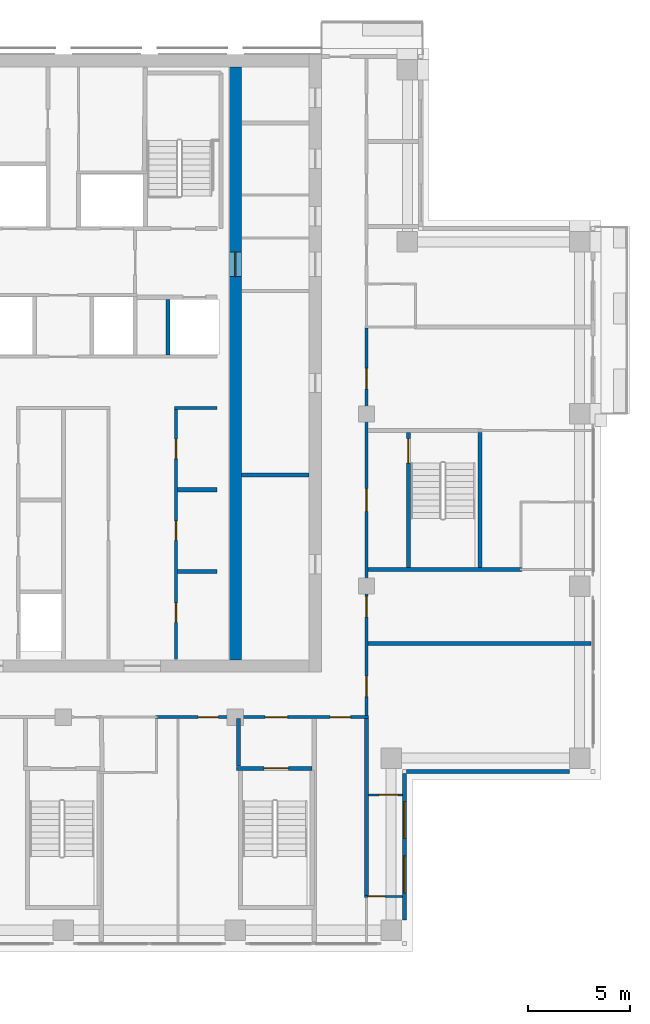
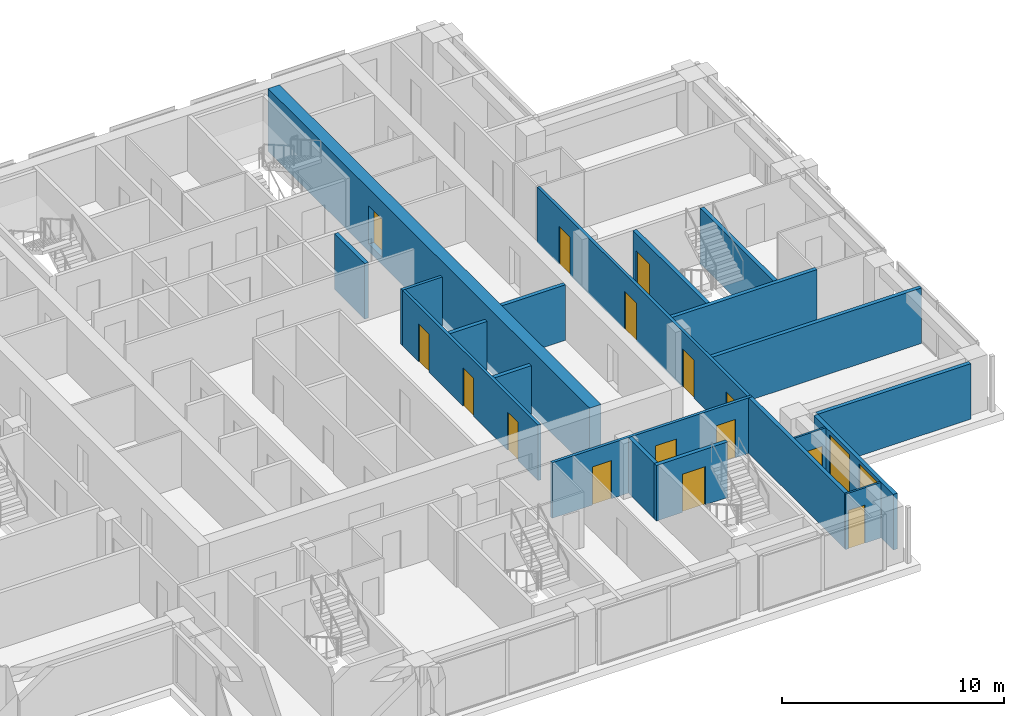
# One storey, part 10 of 16: 20 walls, 15 doors, 2 windows, 17 openings.
"""IFC4 building model written with IfcOpenShell, lengths in metres."""

from ifc_helpers import new_model, si_unit, direction, frame, frame_2d, origin, place, context, subcontext, project, spatial, rectangle, extrude, material, layer, layer_set, type_object, element, fill, save


model = new_model("IFC4")

# Units and contexts
model_context = context("Model", 3, precision=1e-05, world=origin(), true_north=direction((0.0, 1.0)))
body_context = subcontext(model_context, "Body", "Model", "MODEL_VIEW")
ifc_project = project(units=[si_unit("LENGTHUNIT", "METRE"), si_unit("AREAUNIT", "SQUARE_METRE"), si_unit("VOLUMEUNIT", "CUBIC_METRE"), si_unit("PLANEANGLEUNIT", "RADIAN"), si_unit("MASSUNIT", "GRAM", prefix="KILO")], contexts=[model_context])

# Site, building, storey
site_placement = place(None, origin())
site = spatial("IfcSite", under=ifc_project, at=site_placement, CompositionType="ELEMENT")
building_placement = place(site_placement, origin())
building = spatial("IfcBuilding", under=site, at=building_placement, Name="Vermilion Ogive Tower", CompositionType="ELEMENT")
storey_placement = place(building_placement, frame((0.0, 0.0, 179.0)))
storey = spatial("IfcBuildingStorey", under=building, at=storey_placement, Name="L46", CompositionType="ELEMENT", Elevation=179.0)

# Wall, opening, door
ifc_material_1 = material(Name="Concrete B60", Category="concrete")
ifc_layer_1 = layer(ifc_material_1, 0.60009765625)
ifc_layer_set_1 = layer_set([ifc_layer_1], Name="Core wall 600 B60")
wall_type_1 = type_object("IfcWallType", Name="Core wall 600 B60", PredefinedType="SHEAR", material=ifc_layer_set_1)
wall_1_placement = place(storey_placement, frame((8.39990234375, -7.800048828125, -0.39990234375), z_axis=(0.0, 0.0, 1.0), x_axis=(0.0, 1.0, 0.0)))
wall_1 = element("IfcWall", 1, at=wall_1_placement, inside=storey, type_object=wall_type_1, Name="L46-CORE-WEB2", PredefinedType="SHEAR", context=body_context, shape_type="SweptSolid", body=[
    extrude(rectangle(XDim=28.949951171875, YDim=0.60009765625, at=frame_2d((14.47509765625, 0.0))), origin(), (0.0, 0.0, 1.0), 3.449951171875),
])
opening_1_placement = place(wall_1_placement, frame((18.699951171875, 0.0, 0.39990234375)))
opening_1 = element("IfcOpeningElement", 2, at=opening_1_placement, cuts=wall_1, Name="Opening DAO013", PredefinedType="OPENING", context=body_context, shape_type="SweptSolid", body=[
    extrude(rectangle(XDim=1.199951171875, YDim=2.10009765625, at=frame_2d((0.60009765625, 1.050048828125))), frame((0.0, 0.31005859375, 0.0), z_axis=(0.0, -1.0, 0.0), x_axis=(1.0, 0.0, 0.0)), (0.0, 0.0, 1.0), 0.6201171875),
])
ifc_material_2 = material(Name="Timber door leaf", Category="wood")
door_type_1 = type_object("IfcDoorType", Name="Link door 1200 x 2100 FD60S", OperationType="SINGLE_SWING_LEFT", PredefinedType="DOOR", material=ifc_material_2)
door_1_placement = place(opening_1_placement, origin())
door_1 = element("IfcDoor", 3, at=door_1_placement, inside=storey, type_object=door_type_1, Name="L46-CKE-XW", OperationType="SINGLE_SWING_LEFT", OverallHeight=2.10009765625, OverallWidth=1.199951171875, PredefinedType="DOOR", context=body_context, shape_type="SweptSolid", body=[
    extrude(rectangle(XDim=1.199951171875, YDim=2.10009765625, at=frame_2d((0.60009765625, 1.050048828125))), frame((0.0, 0.02490234375, 0.0), z_axis=(0.0, -1.0, 0.0), x_axis=(1.0, 0.0, 0.0)), (0.0, 0.0, 1.0), 0.050048828125),
])
fill(opening_1, door_1)

ifc_material_3 = material(Name="Gypsum board partition on steel studs", Category="steel")
ifc_layer_2 = layer(ifc_material_3, 0.10009765625)
ifc_layer_set_2 = layer_set([ifc_layer_2], Name="Partition 100 bath")
wall_type_2 = type_object("IfcWallType", Name="Partition 100 bath", PredefinedType="PARTITIONING", material=ifc_layer_set_2)
wall_2_placement = place(storey_placement, frame((14.699951171875, -19.35009765625, 0.0), z_axis=(0.0, 0.0, 1.0), x_axis=(1.0, 0.0, 0.0)))
wall_2 = element("IfcWall", 4, at=wall_2_placement, inside=storey, type_object=wall_type_2, Name="L46-W-W005", PredefinedType="PARTITIONING", context=body_context, shape_type="SweptSolid", body=[
    extrude(rectangle(XDim=1.85009765625, YDim=0.10009765625, at=frame_2d((0.925048828125, 0.0))), origin(), (0.0, 0.0, 1.0), 3.050048828125),
])
opening_2_placement = place(wall_2_placement, frame((0.14990234375, 0.0, 0.0)))
opening_2 = element("IfcOpeningElement", 5, at=opening_2_placement, cuts=wall_2, Name="Opening D4G1019", PredefinedType="OPENING", context=body_context, shape_type="SweptSolid", body=[
    extrude(rectangle(XDim=0.85009765625, YDim=2.10009765625, at=frame_2d((0.425048828125, 1.050048828125))), frame((0.0, 0.06005859375, 0.0), z_axis=(0.0, -1.0, 0.0), x_axis=(1.0, 0.0, 0.0)), (0.0, 0.0, 1.0), 0.1201171875),
])
ifc_material_4 = material(Name="Timber door leaf", Category="wood")
door_type_2 = type_object("IfcDoorType", Name="Bath door 850 x 2100 FD30", OperationType="SINGLE_SWING_LEFT", PredefinedType="DOOR", material=ifc_material_4)
door_2_placement = place(opening_2_placement, origin())
door_2 = element("IfcDoor", 6, at=door_2_placement, inside=storey, type_object=door_type_2, Name="L46-D-D019", OperationType="SINGLE_SWING_RIGHT", OverallHeight=2.10009765625, OverallWidth=0.85009765625, PredefinedType="DOOR", context=body_context, shape_type="SweptSolid", body=[
    extrude(rectangle(XDim=0.85009765625, YDim=2.10009765625, at=frame_2d((0.425048828125, 1.050048828125))), frame((0.0, 0.02490234375, 0.0), z_axis=(0.0, -1.0, 0.0), x_axis=(1.0, 0.0, 0.0)), (0.0, 0.0, 1.0), 0.050048828125),
])
fill(opening_2, door_2)

ifc_material_5 = material(Name="Gypsum board partition on steel studs", Category="steel")
ifc_layer_3 = layer(ifc_material_5, 0.10009765625)
ifc_layer_set_3 = layer_set([ifc_layer_3], Name="Partition 100 inner")
wall_type_3 = type_object("IfcWallType", Name="Partition 100 inner", PredefinedType="PARTITIONING", material=ifc_layer_set_3)
wall_3_placement = place(storey_placement, frame((14.89990234375, -14.39990234375, 0.0), z_axis=(0.0, 0.0, 1.0), x_axis=(1.0, 0.0, 0.0)))
wall_3 = element("IfcWall", 7, at=wall_3_placement, inside=storey, type_object=wall_type_3, Name="L46-W-W007", PredefinedType="PARTITIONING", context=body_context, shape_type="SweptSolid", body=[
    extrude(rectangle(XDim=1.650146484375, YDim=0.10009765625, at=frame_2d((0.8251953125, 0.0))), origin(), (0.0, 0.0, 1.0), 3.050048828125),
])
opening_3_placement = place(wall_3_placement, frame((0.500244140625, 0.0, 0.0)))
opening_3 = element("IfcOpeningElement", 8, at=opening_3_placement, cuts=wall_3, Name="Opening D4G1018", PredefinedType="OPENING", context=body_context, shape_type="SweptSolid", body=[
    extrude(rectangle(XDim=0.949951171875, YDim=2.10009765625, at=frame_2d((0.47509765625, 1.050048828125))), frame((0.0, 0.06005859375, 0.0), z_axis=(0.0, -1.0, 0.0), x_axis=(1.0, 0.0, 0.0)), (0.0, 0.0, 1.0), 0.1201171875),
])
ifc_material_6 = material(Name="Timber door leaf", Category="wood")
door_type_3 = type_object("IfcDoorType", Name="Inner door 950 x 2100 FD30", OperationType="SINGLE_SWING_LEFT", PredefinedType="DOOR", material=ifc_material_6)
door_3_placement = place(opening_3_placement, origin())
door_3 = element("IfcDoor", 9, at=door_3_placement, inside=storey, type_object=door_type_3, Name="L46-D-D018", OperationType="SINGLE_SWING_RIGHT", OverallHeight=2.10009765625, OverallWidth=0.949951171875, PredefinedType="DOOR", context=body_context, shape_type="SweptSolid", body=[
    extrude(rectangle(XDim=0.949951171875, YDim=2.10009765625, at=frame_2d((0.47509765625, 1.050048828125))), frame((0.0, 0.02490234375, 0.0), z_axis=(0.0, -1.0, 0.0), x_axis=(1.0, 0.0, 0.0)), (0.0, 0.0, 1.0), 0.050048828125),
])
fill(opening_3, door_3)

# Wall, openings, doors
ifc_material_7 = material(Name="Gypsum board partition on steel studs", Category="steel")
ifc_layer_4 = layer(ifc_material_7, 0.14990234375)
ifc_layer_set_4 = layer_set([ifc_layer_4], Name="Partition 150 corridor")
wall_type_4 = type_object("IfcWallType", Name="Partition 150 corridor", PredefinedType="PARTITIONING", material=ifc_layer_set_4)
wall_4_placement = place(storey_placement, frame((4.5, -10.60009765625, 0.0), z_axis=(0.0, 0.0, 1.0), x_axis=(1.0, 0.0, 0.0)))
wall_4 = element("IfcWall", 10, at=wall_4_placement, inside=storey, type_object=wall_type_4, Name="L46-W-W017", PredefinedType="PARTITIONING", context=body_context, shape_type="SweptSolid", body=[
    extrude(rectangle(XDim=10.39990234375, YDim=0.14990234375, at=frame_2d((5.199951171875, 0.0))), origin(), (0.0, 0.0, 1.0), 3.050048828125),
])
opening_4_placement = place(wall_4_placement, frame((2.074951171875, 0.0, 0.0)))
opening_4 = element("IfcOpeningElement", 11, at=opening_4_placement, cuts=wall_4, Name="Opening D4G1014", PredefinedType="OPENING", context=body_context, shape_type="SweptSolid", body=[
    extrude(rectangle(XDim=1.0, YDim=2.10009765625, at=frame_2d((0.5, 1.050048828125))), frame((0.0, 0.0849609375, 0.0), z_axis=(0.0, -1.0, 0.0), x_axis=(1.0, 0.0, 0.0)), (0.0, 0.0, 1.0), 0.169921875),
])
opening_5_placement = place(wall_4_placement, frame((5.35009765625, 0.0, 0.0)))
opening_5 = element("IfcOpeningElement", 12, at=opening_5_placement, cuts=wall_4, Name="Opening D4G1031", PredefinedType="OPENING", context=body_context, shape_type="SweptSolid", body=[
    extrude(rectangle(XDim=1.10009765625, YDim=2.10009765625, at=frame_2d((0.550048828125, 1.050048828125))), frame((0.0, 0.0849609375, 0.0), z_axis=(0.0, -1.0, 0.0), x_axis=(1.0, 0.0, 0.0)), (0.0, 0.0, 1.0), 0.169921875),
])
opening_6_placement = place(wall_4_placement, frame((8.52490234375, 0.0, 0.0)))
opening_6 = element("IfcOpeningElement", 13, at=opening_6_placement, cuts=wall_4, Name="Opening D4G1038", PredefinedType="OPENING", context=body_context, shape_type="SweptSolid", body=[
    extrude(rectangle(XDim=1.0, YDim=2.10009765625, at=frame_2d((0.5, 1.050048828125))), frame((0.0, 0.0849609375, 0.0), z_axis=(0.0, -1.0, 0.0), x_axis=(1.0, 0.0, 0.0)), (0.0, 0.0, 1.0), 0.169921875),
])
ifc_material_8 = material(Name="Timber door leaf", Category="wood")
door_type_4 = type_object("IfcDoorType", Name="Stair door 1100 x 2100 FD60S", OperationType="SINGLE_SWING_LEFT", PredefinedType="DOOR", material=ifc_material_8)
door_4_placement = place(opening_5_placement, origin())
door_4 = element("IfcDoor", 14, at=door_4_placement, inside=storey, type_object=door_type_4, Name="L46-D-D031", OperationType="SINGLE_SWING_LEFT", OverallHeight=2.10009765625, OverallWidth=1.10009765625, PredefinedType="DOOR", context=body_context, shape_type="SweptSolid", body=[
    extrude(rectangle(XDim=1.10009765625, YDim=2.10009765625, at=frame_2d((0.550048828125, 1.050048828125))), frame((0.0, 0.02490234375, 0.0), z_axis=(0.0, -1.0, 0.0), x_axis=(1.0, 0.0, 0.0)), (0.0, 0.0, 1.0), 0.050048828125),
])
fill(opening_5, door_4)
ifc_material_9 = material(Name="Timber door leaf", Category="wood")
door_type_5 = type_object("IfcDoorType", Name="Unit door 1000 x 2100 FD30S", OperationType="SINGLE_SWING_LEFT", PredefinedType="DOOR", material=ifc_material_9)
door_5_placement = place(opening_4_placement, origin())
door_5 = element("IfcDoor", 15, at=door_5_placement, inside=storey, type_object=door_type_5, Name="L46-D-D014", OperationType="SINGLE_SWING_LEFT", OverallHeight=2.10009765625, OverallWidth=1.0, PredefinedType="DOOR", context=body_context, shape_type="SweptSolid", body=[
    extrude(rectangle(XDim=1.0, YDim=2.10009765625, at=frame_2d((0.5, 1.050048828125))), frame((0.0, 0.02490234375, 0.0), z_axis=(0.0, -1.0, 0.0), x_axis=(1.0, 0.0, 0.0)), (0.0, 0.0, 1.0), 0.050048828125),
])
fill(opening_4, door_5)
door_6_placement = place(opening_6_placement, origin())
door_6 = element("IfcDoor", 16, at=door_6_placement, inside=storey, type_object=door_type_5, Name="L46-D-D038", OperationType="SINGLE_SWING_LEFT", OverallHeight=2.10009765625, OverallWidth=1.0, PredefinedType="DOOR", context=body_context, shape_type="SweptSolid", body=[
    extrude(rectangle(XDim=1.0, YDim=2.10009765625, at=frame_2d((0.5, 1.050048828125))), frame((0.0, 0.02490234375, 0.0), z_axis=(0.0, -1.0, 0.0), x_axis=(1.0, 0.0, 0.0)), (0.0, 0.0, 1.0), 0.050048828125),
])
fill(opening_6, door_6)

wall_5_placement = place(storey_placement, frame((14.800048828125, -10.52490234375, 0.0), z_axis=(0.0, 0.0, 1.0), x_axis=(0.0, 1.0, 0.0)))
wall_5 = element("IfcWall", 17, at=wall_5_placement, inside=storey, type_object=wall_type_4, Name="L46-W-W072", PredefinedType="PARTITIONING", context=body_context, shape_type="SweptSolid", body=[
    extrude(rectangle(XDim=18.9248046875, YDim=0.14990234375, at=frame_2d((9.46240234375, 0.0))), origin(), (0.0, 0.0, 1.0), 3.050048828125),
])
opening_7_placement = place(wall_5_placement, frame((0.9248046875, 0.0, 0.0)))
opening_7 = element("IfcOpeningElement", 18, at=opening_7_placement, cuts=wall_5, Name="Opening D4G1017", PredefinedType="OPENING", context=body_context, shape_type="SweptSolid", body=[
    extrude(rectangle(XDim=1.0, YDim=2.10009765625, at=frame_2d((0.5, 1.050048828125))), frame((0.0, 0.0849609375, 0.0), z_axis=(0.0, -1.0, 0.0), x_axis=(1.0, 0.0, 0.0)), (0.0, 0.0, 1.0), 0.169921875),
])
opening_8_placement = place(wall_5_placement, frame((15.949951171875, 0.0, 0.0)))
opening_8 = element("IfcOpeningElement", 19, at=opening_8_placement, cuts=wall_5, Name="Opening D4G1020", PredefinedType="OPENING", context=body_context, shape_type="SweptSolid", body=[
    extrude(rectangle(XDim=1.0, YDim=2.10009765625, at=frame_2d((0.5, 1.050048828125))), frame((0.0, 0.0849609375, 0.0), z_axis=(0.0, -1.0, 0.0), x_axis=(1.0, 0.0, 0.0)), (0.0, 0.0, 1.0), 0.169921875),
])
opening_9_placement = place(wall_5_placement, frame((9.974853515625, 0.0, 0.0)))
opening_9 = element("IfcOpeningElement", 20, at=opening_9_placement, cuts=wall_5, Name="Opening D4G1033", PredefinedType="OPENING", context=body_context, shape_type="SweptSolid", body=[
    extrude(rectangle(XDim=1.10009765625, YDim=2.10009765625, at=frame_2d((0.550048828125, 1.050048828125))), frame((0.0, 0.0849609375, 0.0), z_axis=(0.0, -1.0, 0.0), x_axis=(1.0, 0.0, 0.0)), (0.0, 0.0, 1.0), 0.169921875),
])
opening_10_placement = place(wall_5_placement, frame((4.824951171875, 0.0, 0.0)))
opening_10 = element("IfcOpeningElement", 21, at=opening_10_placement, cuts=wall_5, Name="Opening D4G1040", PredefinedType="OPENING", context=body_context, shape_type="SweptSolid", body=[
    extrude(rectangle(XDim=1.0, YDim=2.10009765625, at=frame_2d((0.5, 1.050048828125))), frame((0.0, 0.0849609375, 0.0), z_axis=(0.0, -1.0, 0.0), x_axis=(1.0, 0.0, 0.0)), (0.0, 0.0, 1.0), 0.169921875),
])
door_7_placement = place(opening_9_placement, origin())
door_7 = element("IfcDoor", 22, at=door_7_placement, inside=storey, type_object=door_type_4, Name="L46-D-D033", OperationType="SINGLE_SWING_LEFT", OverallHeight=2.10009765625, OverallWidth=1.10009765625, PredefinedType="DOOR", context=body_context, shape_type="SweptSolid", body=[
    extrude(rectangle(XDim=1.10009765625, YDim=2.10009765625, at=frame_2d((0.550048828125, 1.050048828125))), frame((0.0, 0.02490234375, 0.0), z_axis=(0.0, -1.0, 0.0), x_axis=(1.0, 0.0, 0.0)), (0.0, 0.0, 1.0), 0.050048828125),
])
fill(opening_9, door_7)
door_8_placement = place(opening_7_placement, origin())
door_8 = element("IfcDoor", 23, at=door_8_placement, inside=storey, type_object=door_type_5, Name="L46-D-D017", OperationType="SINGLE_SWING_RIGHT", OverallHeight=2.10009765625, OverallWidth=1.0, PredefinedType="DOOR", context=body_context, shape_type="SweptSolid", body=[
    extrude(rectangle(XDim=1.0, YDim=2.10009765625, at=frame_2d((0.5, 1.050048828125))), frame((0.0, 0.02490234375, 0.0), z_axis=(0.0, -1.0, 0.0), x_axis=(1.0, 0.0, 0.0)), (0.0, 0.0, 1.0), 0.050048828125),
])
fill(opening_7, door_8)
door_9_placement = place(opening_8_placement, origin())
door_9 = element("IfcDoor", 24, at=door_9_placement, inside=storey, type_object=door_type_5, Name="L46-D-D020", OperationType="SINGLE_SWING_LEFT", OverallHeight=2.10009765625, OverallWidth=1.0, PredefinedType="DOOR", context=body_context, shape_type="SweptSolid", body=[
    extrude(rectangle(XDim=1.0, YDim=2.10009765625, at=frame_2d((0.5, 1.050048828125))), frame((0.0, 0.02490234375, 0.0), z_axis=(0.0, -1.0, 0.0), x_axis=(1.0, 0.0, 0.0)), (0.0, 0.0, 1.0), 0.050048828125),
])
fill(opening_8, door_9)
door_10_placement = place(opening_10_placement, origin())
door_10 = element("IfcDoor", 25, at=door_10_placement, inside=storey, type_object=door_type_5, Name="L46-D-D040", OperationType="SINGLE_SWING_LEFT", OverallHeight=2.10009765625, OverallWidth=1.0, PredefinedType="DOOR", context=body_context, shape_type="SweptSolid", body=[
    extrude(rectangle(XDim=1.0, YDim=2.10009765625, at=frame_2d((0.5, 1.050048828125))), frame((0.0, 0.02490234375, 0.0), z_axis=(0.0, -1.0, 0.0), x_axis=(1.0, 0.0, 0.0)), (0.0, 0.0, 1.0), 0.050048828125),
])
fill(opening_10, door_10)

# Wall
wall_6_placement = place(storey_placement, frame((5.425048828125, 4.5, 0.0), z_axis=(0.0, 0.0, 1.0), x_axis=(1.0, 0.0, 0.0)))
element("IfcWall", 26, at=wall_6_placement, inside=storey, type_object=wall_type_4, Name="L46-CK-W-W010", PredefinedType="PARTITIONING", context=body_context, shape_type="SweptSolid", body=[
    extrude(rectangle(XDim=2.074951171875, YDim=0.14990234375, at=frame_2d((1.03759765625, 0.0))), origin(), (0.0, 0.0, 1.0), 3.050048828125),
])

# Wall, openings, doors
wall_7_placement = place(storey_placement, frame((5.5, -7.799072265625, 0.0), z_axis=(0.0, 0.0, 1.0), x_axis=(0.0, 1.0, 0.0)))
wall_7 = element("IfcWall", 27, at=wall_7_placement, inside=storey, type_object=wall_type_4, Name="L46-CK-W-W038", PredefinedType="PARTITIONING", context=body_context, shape_type="SweptSolid", body=[
    extrude(rectangle(XDim=12.22412109375, YDim=0.14990234375, at=frame_2d((6.112060546875, 0.0))), origin(), (0.0, 0.0, 1.0), 3.050048828125),
])
opening_11_placement = place(wall_7_placement, frame((1.823974609375, 0.0, 0.0)))
opening_11 = element("IfcOpeningElement", 28, at=opening_11_placement, cuts=wall_7, Name="Opening DAA403", PredefinedType="OPENING", context=body_context, shape_type="SweptSolid", body=[
    extrude(rectangle(XDim=0.949951171875, YDim=2.10009765625, at=frame_2d((0.47509765625, 1.050048828125))), frame((0.0, 0.0849609375, 0.0), z_axis=(0.0, -1.0, 0.0), x_axis=(1.0, 0.0, 0.0)), (0.0, 0.0, 1.0), 0.169921875),
])
opening_12_placement = place(wall_7_placement, frame((5.823974609375, 0.0, 0.0)))
opening_12 = element("IfcOpeningElement", 29, at=opening_12_placement, cuts=wall_7, Name="Opening DAA404", PredefinedType="OPENING", context=body_context, shape_type="SweptSolid", body=[
    extrude(rectangle(XDim=0.949951171875, YDim=2.10009765625, at=frame_2d((0.47509765625, 1.050048828125))), frame((0.0, 0.0849609375, 0.0), z_axis=(0.0, -1.0, 0.0), x_axis=(1.0, 0.0, 0.0)), (0.0, 0.0, 1.0), 0.169921875),
])
opening_13_placement = place(wall_7_placement, frame((9.823974609375, 0.0, 0.0)))
opening_13 = element("IfcOpeningElement", 30, at=opening_13_placement, cuts=wall_7, Name="Opening DAA405", PredefinedType="OPENING", context=body_context, shape_type="SweptSolid", body=[
    extrude(rectangle(XDim=0.949951171875, YDim=2.10009765625, at=frame_2d((0.47509765625, 1.050048828125))), frame((0.0, 0.0849609375, 0.0), z_axis=(0.0, -1.0, 0.0), x_axis=(1.0, 0.0, 0.0)), (0.0, 0.0, 1.0), 0.169921875),
])
ifc_material_10 = material(Name="Timber door leaf", Category="wood")
door_type_6 = type_object("IfcDoorType", Name="Service door 950 x 2100 FD60", OperationType="SINGLE_SWING_LEFT", PredefinedType="DOOR", material=ifc_material_10)
door_11_placement = place(opening_11_placement, origin())
door_11 = element("IfcDoor", 31, at=door_11_placement, inside=storey, type_object=door_type_6, Name="L46-CK-D-D009", OperationType="SINGLE_SWING_LEFT", OverallHeight=2.10009765625, OverallWidth=0.949951171875, PredefinedType="DOOR", context=body_context, shape_type="SweptSolid", body=[
    extrude(rectangle(XDim=0.949951171875, YDim=2.10009765625, at=frame_2d((0.47509765625, 1.050048828125))), frame((0.0, 0.02490234375, 0.0), z_axis=(0.0, -1.0, 0.0), x_axis=(1.0, 0.0, 0.0)), (0.0, 0.0, 1.0), 0.050048828125),
])
fill(opening_11, door_11)
door_12_placement = place(opening_12_placement, origin())
door_12 = element("IfcDoor", 32, at=door_12_placement, inside=storey, type_object=door_type_6, Name="L46-CK-D-D010", OperationType="SINGLE_SWING_LEFT", OverallHeight=2.10009765625, OverallWidth=0.949951171875, PredefinedType="DOOR", context=body_context, shape_type="SweptSolid", body=[
    extrude(rectangle(XDim=0.949951171875, YDim=2.10009765625, at=frame_2d((0.47509765625, 1.050048828125))), frame((0.0, 0.02490234375, 0.0), z_axis=(0.0, -1.0, 0.0), x_axis=(1.0, 0.0, 0.0)), (0.0, 0.0, 1.0), 0.050048828125),
])
fill(opening_12, door_12)
door_13_placement = place(opening_13_placement, origin())
door_13 = element("IfcDoor", 33, at=door_13_placement, inside=storey, type_object=door_type_6, Name="L46-CK-D-D011", OperationType="SINGLE_SWING_RIGHT", OverallHeight=2.10009765625, OverallWidth=0.949951171875, PredefinedType="DOOR", context=body_context, shape_type="SweptSolid", body=[
    extrude(rectangle(XDim=0.949951171875, YDim=2.10009765625, at=frame_2d((0.47509765625, 1.050048828125))), frame((0.0, 0.02490234375, 0.0), z_axis=(0.0, -1.0, 0.0), x_axis=(1.0, 0.0, 0.0)), (0.0, 0.0, 1.0), 0.050048828125),
])
fill(opening_13, door_13)

# Walls
ifc_material_11 = material(Name="Gypsum board partition on steel studs", Category="steel")
ifc_layer_5 = layer(ifc_material_11, 0.199951171875)
ifc_layer_set_5 = layer_set([ifc_layer_5], Name="Partition 200 party")
wall_type_5 = type_object("IfcWallType", Name="Partition 200 party", PredefinedType="PARTITIONING", material=ifc_layer_set_5)
wall_8_placement = place(storey_placement, frame((14.875, -7.0, 0.0), z_axis=(0.0, 0.0, 1.0), x_axis=(1.0, 0.0, 0.0)))
element("IfcWall", 34, at=wall_8_placement, inside=storey, type_object=wall_type_5, Name="L46-W-W019", PredefinedType="PARTITIONING", context=body_context, shape_type="SweptSolid", body=[
    extrude(rectangle(XDim=10.875, YDim=0.199951171875, at=frame_2d((5.4375, 0.0))), origin(), (0.0, 0.0, 1.0), 3.050048828125),
])
wall_9_placement = place(storey_placement, frame((8.550048828125, -12.998046875, 0.0), z_axis=(0.0, 0.0, 1.0), x_axis=(0.0, 1.0, 0.0)))
element("IfcWall", 35, at=wall_9_placement, inside=storey, type_object=wall_type_5, Name="L46-W-W066", PredefinedType="PARTITIONING", context=body_context, shape_type="SweptSolid", body=[
    extrude(rectangle(XDim=2.322998046875, YDim=0.199951171875, at=frame_2d((1.16162109375, 0.0))), origin(), (0.0, 0.0, 1.0), 3.050048828125),
])
wall_10_placement = place(storey_placement, frame((14.800048828125, -19.300048828125, 0.0), z_axis=(0.0, 0.0, 1.0), x_axis=(0.0, 1.0, 0.0)))
element("IfcWall", 36, at=wall_10_placement, inside=storey, type_object=wall_type_5, Name="L46-W-W071", PredefinedType="PARTITIONING", context=body_context, shape_type="SweptSolid", body=[
    extrude(rectangle(XDim=8.625, YDim=0.199951171875, at=frame_2d((4.3125, 0.0))), origin(), (0.0, 0.0, 1.0), 3.050048828125),
])
for number, where, z_axis, x_axis, name in (
    (37, (5.574951171875, -3.5, 0.0), (0.0, 0.0, 1.0), (1.0, 0.0, 0.0), "L46-CK-W-W003"),
    (38, (5.574951171875, 0.5, 0.0), (0.0, 0.0, 1.0), (1.0, 0.0, 0.0), "L46-CK-W-W006"),
):
    element("IfcWall", number, at=place(storey_placement, frame(where, z_axis=z_axis, x_axis=x_axis)), inside=storey, type_object=wall_type_5, Name=name, PredefinedType="PARTITIONING", context=body_context, shape_type="SweptSolid", body=[
        extrude(rectangle(XDim=1.925048828125, YDim=0.199951171875, at=frame_2d((0.96240234375, 0.0))), origin(), (0.0, 0.0, 1.0), 3.050048828125),
    ])
wall_11_placement = place(storey_placement, frame((5.10009765625, 7.074951171875, 0.0), z_axis=(0.0, 0.0, 1.0), x_axis=(0.0, 1.0, 0.0)))
element("IfcWall", 39, at=wall_11_placement, inside=storey, type_object=wall_type_5, Name="L46-CK-W-W037", PredefinedType="PARTITIONING", context=body_context, shape_type="SweptSolid", body=[
    extrude(rectangle(XDim=2.72509765625, YDim=0.199951171875, at=frame_2d((1.362548828125, 0.0))), origin(), (0.0, 0.0, 1.0), 3.050048828125),
])
wall_12_placement = place(storey_placement, frame((8.700927734375, 1.22509765625, 0.0), z_axis=(0.0, 0.0, 1.0), x_axis=(1.0, 0.0, 0.0)))
element("IfcWall", 40, at=wall_12_placement, inside=storey, type_object=wall_type_5, Name="L46-CKE-W-W001", PredefinedType="PARTITIONING", context=body_context, shape_type="SweptSolid", body=[
    extrude(rectangle(XDim=3.298095703125, YDim=0.199951171875, at=frame_2d((1.64892578125, 0.0))), origin(), (0.0, 0.0, 1.0), 3.050048828125),
])

# Wall, opening, door
ifc_material_12 = material(Name="Concrete B60", Category="concrete")
ifc_layer_6 = layer(ifc_material_12, 0.199951171875)
ifc_layer_set_6 = layer_set([ifc_layer_6], Name="Stair shaft wall 200 Concrete B60")
wall_type_6 = type_object("IfcWallType", Name="Stair shaft wall 200 Concrete B60", PredefinedType="SOLIDWALL", material=ifc_layer_set_6)
wall_13_placement = place(storey_placement, frame((8.451904296875, -13.10009765625, 0.0), z_axis=(0.0, 0.0, 1.0), x_axis=(1.0, 0.0, 0.0)))
wall_13 = element("IfcWall", 41, at=wall_13_placement, inside=storey, type_object=wall_type_6, Name="L46-W-W012", PredefinedType="SOLIDWALL", context=body_context, shape_type="SweptSolid", body=[
    extrude(rectangle(XDim=3.696044921875, YDim=0.199951171875, at=frame_2d((1.84814453125, 0.0))), origin(), (0.0, 0.0, 1.0), 3.050048828125),
])
opening_14_placement = place(wall_13_placement, frame((1.34814453125, 0.0, 0.0)))
opening_14 = element("IfcOpeningElement", 42, at=opening_14_placement, cuts=wall_13, Name="Opening D4G1032", PredefinedType="OPENING", context=body_context, shape_type="SweptSolid", body=[
    extrude(rectangle(XDim=1.199951171875, YDim=2.10009765625, at=frame_2d((0.60009765625, 1.050048828125))), frame((0.0, 0.10986328125, 0.0), z_axis=(0.0, -1.0, 0.0), x_axis=(1.0, 0.0, 0.0)), (0.0, 0.0, 1.0), 0.219970703125),
])
ifc_material_13 = material(Name="Timber door leaf", Category="wood")
door_type_7 = type_object("IfcDoorType", Name="Stair door 1200 x 2100 FD60S", OperationType="SINGLE_SWING_LEFT", PredefinedType="DOOR", material=ifc_material_13)
door_14_placement = place(opening_14_placement, origin())
door_14 = element("IfcDoor", 43, at=door_14_placement, inside=storey, type_object=door_type_7, Name="L46-D-D032", OperationType="SINGLE_SWING_RIGHT", OverallHeight=2.10009765625, OverallWidth=1.199951171875, PredefinedType="DOOR", context=body_context, shape_type="SweptSolid", body=[
    extrude(rectangle(XDim=1.199951171875, YDim=2.10009765625, at=frame_2d((0.60009765625, 1.050048828125))), frame((0.0, 0.02490234375, 0.0), z_axis=(0.0, -1.0, 0.0), x_axis=(1.0, 0.0, 0.0)), (0.0, 0.0, 1.0), 0.050048828125),
])
fill(opening_14, door_14)

# Wall
wall_14_placement = place(storey_placement, frame((14.875, -3.39990234375, 0.0), z_axis=(0.0, 0.0, 1.0), x_axis=(1.0, 0.0, 0.0)))
element("IfcWall", 44, at=wall_14_placement, inside=storey, type_object=wall_type_6, Name="L46-W-W023", PredefinedType="SOLIDWALL", context=body_context, shape_type="SweptSolid", body=[
    extrude(rectangle(XDim=7.52490234375, YDim=0.199951171875, at=frame_2d((3.762451171875, 0.0))), origin(), (0.0, 0.0, 1.0), 3.050048828125),
])

# Wall, opening, door
wall_15_placement = place(storey_placement, frame((16.85009765625, -3.300048828125, 0.0), z_axis=(0.0, 0.0, 1.0), x_axis=(0.0, 1.0, 0.0)))
wall_15 = element("IfcWall", 45, at=wall_15_placement, inside=storey, type_object=wall_type_6, Name="L46-W-W075", PredefinedType="SOLIDWALL", context=body_context, shape_type="SweptSolid", body=[
    extrude(rectangle(XDim=6.60009765625, YDim=0.199951171875, at=frame_2d((3.300048828125, 0.0))), origin(), (0.0, 0.0, 1.0), 3.050048828125),
])
opening_15_placement = place(wall_15_placement, frame((5.10009765625, 0.0, 0.0)))
opening_15 = element("IfcOpeningElement", 46, at=opening_15_placement, cuts=wall_15, Name="Opening D4G1034", PredefinedType="OPENING", context=body_context, shape_type="SweptSolid", body=[
    extrude(rectangle(XDim=1.199951171875, YDim=2.10009765625, at=frame_2d((0.60009765625, 1.050048828125))), frame((0.0, 0.10986328125, 0.0), z_axis=(0.0, -1.0, 0.0), x_axis=(1.0, 0.0, 0.0)), (0.0, 0.0, 1.0), 0.219970703125),
])
door_15_placement = place(opening_15_placement, origin())
door_15 = element("IfcDoor", 47, at=door_15_placement, inside=storey, type_object=door_type_7, Name="L46-D-D034", OperationType="SINGLE_SWING_LEFT", OverallHeight=2.10009765625, OverallWidth=1.199951171875, PredefinedType="DOOR", context=body_context, shape_type="SweptSolid", body=[
    extrude(rectangle(XDim=1.199951171875, YDim=2.10009765625, at=frame_2d((0.60009765625, 1.050048828125))), frame((0.0, 0.02490234375, 0.0), z_axis=(0.0, -1.0, 0.0), x_axis=(1.0, 0.0, 0.0)), (0.0, 0.0, 1.0), 0.050048828125),
])
fill(opening_15, door_15)

# Wall
wall_16_placement = place(storey_placement, frame((20.35009765625, -3.300048828125, 0.0), z_axis=(0.0, 0.0, 1.0), x_axis=(0.0, 1.0, 0.0)))
element("IfcWall", 48, at=wall_16_placement, inside=storey, type_object=wall_type_6, Name="L46-W-W077-A", PredefinedType="SOLIDWALL", context=body_context, shape_type="SweptSolid", body=[
    extrude(rectangle(XDim=6.60009765625, YDim=0.199951171875, at=frame_2d((3.300048828125, 0.0))), origin(), (0.0, 0.0, 1.0), 3.050048828125),
])

# Wall, openings, windows
ifc_material_14 = material(Name="Aluminium window wall framing", Category="aluminium")
ifc_layer_7 = layer(ifc_material_14, 0.199951171875)
ifc_layer_set_7 = layer_set([ifc_layer_7], Name="Window wall")
wall_type_7 = type_object("IfcWallType", Name="Window wall", PredefinedType="STANDARD", material=ifc_layer_set_7)
wall_17_placement = place(storey_placement, frame((16.64990234375, -20.5, 0.0), z_axis=(0.0, 0.0, 1.0), x_axis=(0.0, 1.0, 0.0)))
wall_17 = element("IfcWall", 49, at=wall_17_placement, inside=storey, type_object=wall_type_7, Name="Window wall X11", PredefinedType="STANDARD", context=body_context, shape_type="SweptSolid", body=[
    extrude(rectangle(XDim=7.14990234375, YDim=0.199951171875, at=frame_2d((3.574951171875, 0.0))), origin(), (0.0, 0.0, 1.0), 3.050048828125),
])
opening_16_placement = place(wall_17_placement, frame((1.320068359375, 0.0, 0.199951171875)))
opening_16 = element("IfcOpeningElement", 50, at=opening_16_placement, cuts=wall_17, Name="Opening W1-X195", PredefinedType="OPENING", context=body_context, shape_type="SweptSolid", body=[
    extrude(rectangle(XDim=1.800048828125, YDim=2.64990234375, at=frame_2d((0.89990234375, 1.324951171875))), frame((0.0, 0.10986328125, 0.0), z_axis=(0.0, -1.0, 0.0), x_axis=(1.0, 0.0, 0.0)), (0.0, 0.0, 1.0), 0.219970703125),
])
opening_17_placement = place(wall_17_placement, frame((3.97509765625, 0.0, 0.199951171875)))
opening_17 = element("IfcOpeningElement", 51, at=opening_17_placement, cuts=wall_17, Name="Opening W1-X196", PredefinedType="OPENING", context=body_context, shape_type="SweptSolid", body=[
    extrude(rectangle(XDim=1.800048828125, YDim=2.64990234375, at=frame_2d((0.89990234375, 1.324951171875))), frame((0.0, 0.10986328125, 0.0), z_axis=(0.0, -1.0, 0.0), x_axis=(1.0, 0.0, 0.0)), (0.0, 0.0, 1.0), 0.219970703125),
])
ifc_material_15 = material(Name="Aluminium framed double glazing", Category="aluminium")
window_type = type_object("IfcWindowType", Name="Guest window W1", PartitioningType="SINGLE_PANEL", PredefinedType="WINDOW", material=ifc_material_15)
window_1_placement = place(opening_16_placement, origin())
window_1 = element("IfcWindow", 52, at=window_1_placement, inside=storey, type_object=window_type, Name="Window X195", OverallHeight=2.64990234375, OverallWidth=1.800048828125, PartitioningType="SINGLE_PANEL", PredefinedType="WINDOW", context=body_context, shape_type="SweptSolid", body=[
    extrude(rectangle(XDim=1.800048828125, YDim=2.64990234375, at=frame_2d((0.89990234375, 1.324951171875))), frame((0.0, 0.030029296875, 0.0), z_axis=(0.0, -1.0, 0.0), x_axis=(1.0, 0.0, 0.0)), (0.0, 0.0, 1.0), 0.06005859375),
])
fill(opening_16, window_1)
window_2_placement = place(opening_17_placement, origin())
window_2 = element("IfcWindow", 53, at=window_2_placement, inside=storey, type_object=window_type, Name="Window X196", OverallHeight=2.64990234375, OverallWidth=1.800048828125, PartitioningType="SINGLE_PANEL", PredefinedType="WINDOW", context=body_context, shape_type="SweptSolid", body=[
    extrude(rectangle(XDim=1.800048828125, YDim=2.64990234375, at=frame_2d((0.89990234375, 1.324951171875))), frame((0.0, 0.030029296875, 0.0), z_axis=(0.0, -1.0, 0.0), x_axis=(1.0, 0.0, 0.0)), (0.0, 0.0, 1.0), 0.06005859375),
])
fill(opening_17, window_2)

# Wall
wall_18_placement = place(storey_placement, frame((16.75, -13.25, 0.0), z_axis=(0.0, 0.0, 1.0), x_axis=(1.0, 0.0, 0.0)))
element("IfcWall", 54, at=wall_18_placement, inside=storey, type_object=wall_type_7, Name="Window wall X21", PredefinedType="STANDARD", context=body_context, shape_type="SweptSolid", body=[
    extrude(rectangle(XDim=7.949951171875, YDim=0.199951171875, at=frame_2d((3.97509765625, 0.0))), origin(), (0.0, 0.0, 1.0), 3.050048828125),
])

save(model, "model.ifc")
